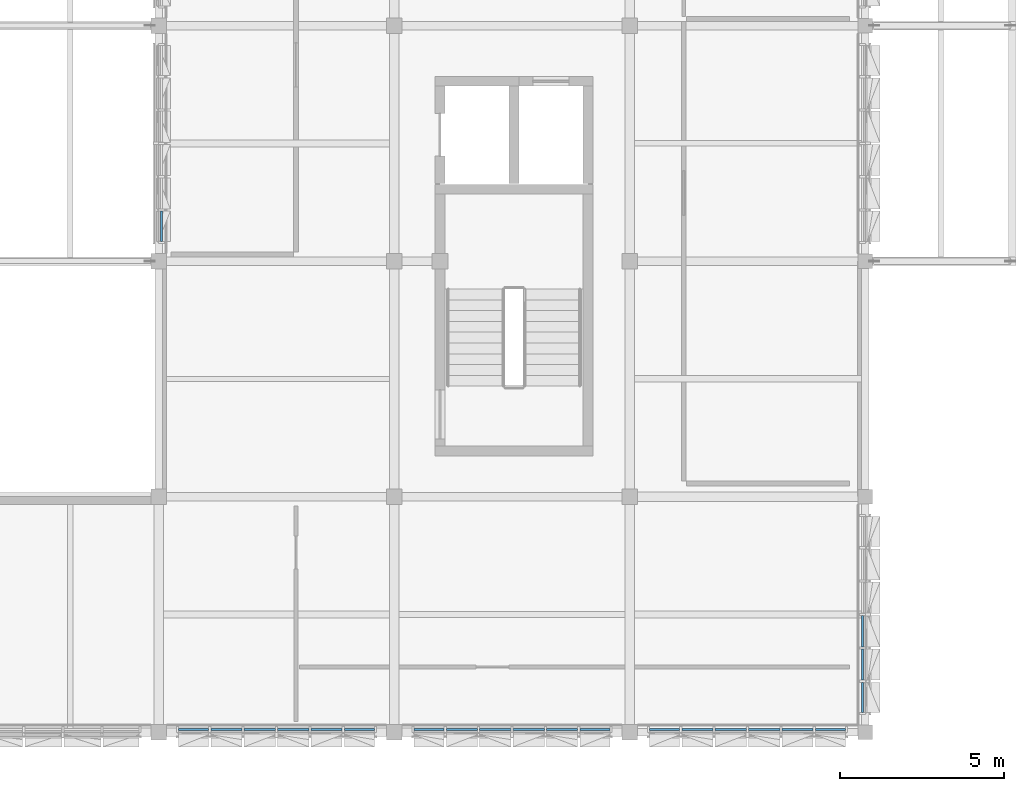
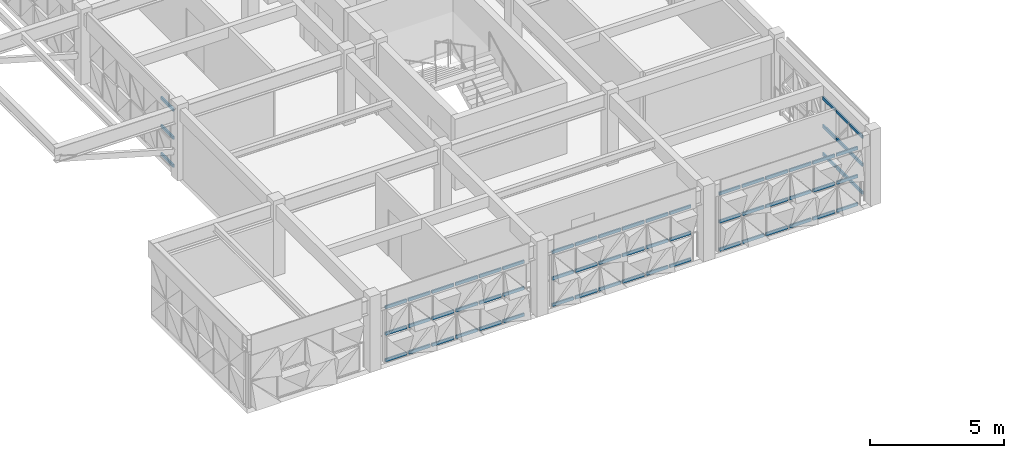
# One storey, part 7 of 30: 66 members, 5 elements without a shape of their own.
"""IFC4 building model written with IfcOpenShell, lengths in metres."""

from ifc_helpers import new_model, si_unit, direction, frame, origin, origin_2d, place, context, subcontext, project, spatial, rectangle, extrude, material, material_profile, profile_set, type_object, element, aggregate, save


model = new_model("IFC4")

# Units and contexts
model_context = context("Model", 3, precision=1e-05, world=origin(), true_north=direction((0.0, 1.0)))
body_context = subcontext(model_context, "Body", "Model", "MODEL_VIEW")
ifc_project = project(units=[si_unit("LENGTHUNIT", "METRE"), si_unit("AREAUNIT", "SQUARE_METRE"), si_unit("VOLUMEUNIT", "CUBIC_METRE"), si_unit("PLANEANGLEUNIT", "RADIAN"), si_unit("MASSUNIT", "GRAM", prefix="KILO")], contexts=[model_context])

# Site, building, storey
site_placement = place(None, origin())
site = spatial("IfcSite", under=ifc_project, at=site_placement, CompositionType="ELEMENT")
building_placement = place(site_placement, origin())
building = spatial("IfcBuilding", under=site, at=building_placement, Name="Alvorim Cloister Faculty of Sciences", CompositionType="ELEMENT")
storey_placement = place(building_placement, frame((0.0, 0.0, 26.25)))
storey = spatial("IfcBuildingStorey", under=building, at=storey_placement, Name="L07", CompositionType="ELEMENT", Elevation=26.25)

# Curtain wall, members
ifc_material_1 = material(Name="Aluminium and Low-E Glass Curtain Wall", Category="aluminium")
curtain_wall_type_1 = type_object("IfcCurtainWallType", Name="CW-TRI-6120x2700", PredefinedType="USERDEFINED", material=ifc_material_1)
curtain_wall_1_placement = place(storey_placement, origin())
curtain_wall_1 = element("IfcCurtainWall", 1, at=curtain_wall_1_placement, inside=storey, type_object=curtain_wall_type_1, Name="L07 Diagonal Cassette Curtain Wall CW-0262", ObjectType="UNITISED CURTAIN WALL", PredefinedType="USERDEFINED")
ifc_material_2 = material(Name="Aluminium Alloy 6063-T6", Category="aluminium")
ifc_material_profile = material_profile(ifc_material_2, rectangle(XDim=0.06494140625, YDim=0.139892578125, at=origin_2d()), Name="ALU-TRN-65x140")
ifc_profile_set = profile_set([ifc_material_profile], Name="Aluminium Alloy 6063-T6")
member_type = type_object("IfcMemberType", Name="CW-TRN-65x140", PredefinedType="USERDEFINED", material=ifc_profile_set)
member_1_placement = place(storey_placement, frame((22.205078125, 7.2900390625, 0.070068359375), z_axis=(1.0, 0.0, 0.0), x_axis=(0.0, 1.0, 0.0)))
member_1 = element("IfcMember", 2, at=member_1_placement, type_object=member_type, Name="CW-0262 Transom 1.1", ObjectType="TRANSOM", PredefinedType="USERDEFINED", context=body_context, shape_type="SweptSolid", body=[
    extrude(rectangle(XDim=0.06494140625, YDim=0.139892578125, at=origin_2d()), origin(), (0.0, 0.0, 1.0), 0.92236328125),
])
member_2_placement = place(storey_placement, frame((22.205078125, 7.2900390625, 1.35009765625), z_axis=(1.0, 0.0, 0.0), x_axis=(0.0, 1.0, 0.0)))
member_2 = element("IfcMember", 3, at=member_2_placement, type_object=member_type, Name="CW-0262 Transom 1.2", ObjectType="TRANSOM", PredefinedType="USERDEFINED", context=body_context, shape_type="SweptSolid", body=[
    extrude(rectangle(XDim=0.06494140625, YDim=0.139892578125, at=origin_2d()), origin(), (0.0, 0.0, 1.0), 0.92236328125),
])
member_3_placement = place(storey_placement, frame((22.205078125, 7.2900390625, 2.6298828125), z_axis=(1.0, 0.0, 0.0), x_axis=(0.0, 1.0, 0.0)))
member_3 = element("IfcMember", 4, at=member_3_placement, type_object=member_type, Name="CW-0262 Transom 1.3", ObjectType="TRANSOM", PredefinedType="USERDEFINED", context=body_context, shape_type="SweptSolid", body=[
    extrude(rectangle(XDim=0.06494140625, YDim=0.139892578125, at=origin_2d()), origin(), (0.0, 0.0, 1.0), 0.92236328125),
])
member_4_placement = place(storey_placement, frame((23.1923828125, 7.2900390625, 0.070068359375), z_axis=(1.0, 0.0, 0.0), x_axis=(0.0, 1.0, 0.0)))
member_4 = element("IfcMember", 5, at=member_4_placement, type_object=member_type, Name="CW-0262 Transom 2.1", ObjectType="TRANSOM", PredefinedType="USERDEFINED", context=body_context, shape_type="SweptSolid", body=[
    extrude(rectangle(XDim=0.06494140625, YDim=0.139892578125, at=origin_2d()), origin(), (0.0, 0.0, 1.0), 0.955078125),
])
member_5_placement = place(storey_placement, frame((23.1923828125, 7.2900390625, 1.35009765625), z_axis=(1.0, 0.0, 0.0), x_axis=(0.0, 1.0, 0.0)))
member_5 = element("IfcMember", 6, at=member_5_placement, type_object=member_type, Name="CW-0262 Transom 2.2", ObjectType="TRANSOM", PredefinedType="USERDEFINED", context=body_context, shape_type="SweptSolid", body=[
    extrude(rectangle(XDim=0.06494140625, YDim=0.139892578125, at=origin_2d()), origin(), (0.0, 0.0, 1.0), 0.955078125),
])
member_6_placement = place(storey_placement, frame((23.1923828125, 7.2900390625, 2.6298828125), z_axis=(1.0, 0.0, 0.0), x_axis=(0.0, 1.0, 0.0)))
member_6 = element("IfcMember", 7, at=member_6_placement, type_object=member_type, Name="CW-0262 Transom 2.3", ObjectType="TRANSOM", PredefinedType="USERDEFINED", context=body_context, shape_type="SweptSolid", body=[
    extrude(rectangle(XDim=0.06494140625, YDim=0.139892578125, at=origin_2d()), origin(), (0.0, 0.0, 1.0), 0.955078125),
])
member_7_placement = place(storey_placement, frame((24.21240234375, 7.2900390625, 0.070068359375), z_axis=(1.0, 0.0, 0.0), x_axis=(0.0, 1.0, 0.0)))
member_7 = element("IfcMember", 8, at=member_7_placement, type_object=member_type, Name="CW-0262 Transom 3.1", ObjectType="TRANSOM", PredefinedType="USERDEFINED", context=body_context, shape_type="SweptSolid", body=[
    extrude(rectangle(XDim=0.06494140625, YDim=0.139892578125, at=origin_2d()), origin(), (0.0, 0.0, 1.0), 0.955078125),
])
member_8_placement = place(storey_placement, frame((24.21240234375, 7.2900390625, 1.35009765625), z_axis=(1.0, 0.0, 0.0), x_axis=(0.0, 1.0, 0.0)))
member_8 = element("IfcMember", 9, at=member_8_placement, type_object=member_type, Name="CW-0262 Transom 3.2", ObjectType="TRANSOM", PredefinedType="USERDEFINED", context=body_context, shape_type="SweptSolid", body=[
    extrude(rectangle(XDim=0.06494140625, YDim=0.139892578125, at=origin_2d()), origin(), (0.0, 0.0, 1.0), 0.955078125),
])
member_9_placement = place(storey_placement, frame((24.21240234375, 7.2900390625, 2.6298828125), z_axis=(1.0, 0.0, 0.0), x_axis=(0.0, 1.0, 0.0)))
member_9 = element("IfcMember", 10, at=member_9_placement, type_object=member_type, Name="CW-0262 Transom 3.3", ObjectType="TRANSOM", PredefinedType="USERDEFINED", context=body_context, shape_type="SweptSolid", body=[
    extrude(rectangle(XDim=0.06494140625, YDim=0.139892578125, at=origin_2d()), origin(), (0.0, 0.0, 1.0), 0.955078125),
])
member_10_placement = place(storey_placement, frame((25.232421875, 7.2900390625, 0.070068359375), z_axis=(1.0, 0.0, 0.0), x_axis=(0.0, 1.0, 0.0)))
member_10 = element("IfcMember", 11, at=member_10_placement, type_object=member_type, Name="CW-0262 Transom 4.1", ObjectType="TRANSOM", PredefinedType="USERDEFINED", context=body_context, shape_type="SweptSolid", body=[
    extrude(rectangle(XDim=0.06494140625, YDim=0.139892578125, at=origin_2d()), origin(), (0.0, 0.0, 1.0), 0.955078125),
])
member_11_placement = place(storey_placement, frame((25.232421875, 7.2900390625, 1.35009765625), z_axis=(1.0, 0.0, 0.0), x_axis=(0.0, 1.0, 0.0)))
member_11 = element("IfcMember", 12, at=member_11_placement, type_object=member_type, Name="CW-0262 Transom 4.2", ObjectType="TRANSOM", PredefinedType="USERDEFINED", context=body_context, shape_type="SweptSolid", body=[
    extrude(rectangle(XDim=0.06494140625, YDim=0.139892578125, at=origin_2d()), origin(), (0.0, 0.0, 1.0), 0.955078125),
])
member_12_placement = place(storey_placement, frame((25.232421875, 7.2900390625, 2.6298828125), z_axis=(1.0, 0.0, 0.0), x_axis=(0.0, 1.0, 0.0)))
member_12 = element("IfcMember", 13, at=member_12_placement, type_object=member_type, Name="CW-0262 Transom 4.3", ObjectType="TRANSOM", PredefinedType="USERDEFINED", context=body_context, shape_type="SweptSolid", body=[
    extrude(rectangle(XDim=0.06494140625, YDim=0.139892578125, at=origin_2d()), origin(), (0.0, 0.0, 1.0), 0.955078125),
])
member_13_placement = place(storey_placement, frame((26.25244140625, 7.2900390625, 0.070068359375), z_axis=(1.0, 0.0, 0.0), x_axis=(0.0, 1.0, 0.0)))
member_13 = element("IfcMember", 14, at=member_13_placement, type_object=member_type, Name="CW-0262 Transom 5.1", ObjectType="TRANSOM", PredefinedType="USERDEFINED", context=body_context, shape_type="SweptSolid", body=[
    extrude(rectangle(XDim=0.06494140625, YDim=0.139892578125, at=origin_2d()), origin(), (0.0, 0.0, 1.0), 0.955078125),
])
member_14_placement = place(storey_placement, frame((26.25244140625, 7.2900390625, 1.35009765625), z_axis=(1.0, 0.0, 0.0), x_axis=(0.0, 1.0, 0.0)))
member_14 = element("IfcMember", 15, at=member_14_placement, type_object=member_type, Name="CW-0262 Transom 5.2", ObjectType="TRANSOM", PredefinedType="USERDEFINED", context=body_context, shape_type="SweptSolid", body=[
    extrude(rectangle(XDim=0.06494140625, YDim=0.139892578125, at=origin_2d()), origin(), (0.0, 0.0, 1.0), 0.955078125),
])
member_15_placement = place(storey_placement, frame((26.25244140625, 7.2900390625, 2.6298828125), z_axis=(1.0, 0.0, 0.0), x_axis=(0.0, 1.0, 0.0)))
member_15 = element("IfcMember", 16, at=member_15_placement, type_object=member_type, Name="CW-0262 Transom 5.3", ObjectType="TRANSOM", PredefinedType="USERDEFINED", context=body_context, shape_type="SweptSolid", body=[
    extrude(rectangle(XDim=0.06494140625, YDim=0.139892578125, at=origin_2d()), origin(), (0.0, 0.0, 1.0), 0.955078125),
])
member_16_placement = place(storey_placement, frame((27.2724609375, 7.2900390625, 0.070068359375), z_axis=(1.0, 0.0, 0.0), x_axis=(0.0, 1.0, 0.0)))
member_16 = element("IfcMember", 17, at=member_16_placement, type_object=member_type, Name="CW-0262 Transom 6.1", ObjectType="TRANSOM", PredefinedType="USERDEFINED", context=body_context, shape_type="SweptSolid", body=[
    extrude(rectangle(XDim=0.06494140625, YDim=0.139892578125, at=origin_2d()), origin(), (0.0, 0.0, 1.0), 0.922607421875),
])
member_17_placement = place(storey_placement, frame((27.2724609375, 7.2900390625, 1.35009765625), z_axis=(1.0, 0.0, 0.0), x_axis=(0.0, 1.0, 0.0)))
member_17 = element("IfcMember", 18, at=member_17_placement, type_object=member_type, Name="CW-0262 Transom 6.2", ObjectType="TRANSOM", PredefinedType="USERDEFINED", context=body_context, shape_type="SweptSolid", body=[
    extrude(rectangle(XDim=0.06494140625, YDim=0.139892578125, at=origin_2d()), origin(), (0.0, 0.0, 1.0), 0.922607421875),
])
member_18_placement = place(storey_placement, frame((27.2724609375, 7.2900390625, 2.6298828125), z_axis=(1.0, 0.0, 0.0), x_axis=(0.0, 1.0, 0.0)))
member_18 = element("IfcMember", 19, at=member_18_placement, type_object=member_type, Name="CW-0262 Transom 6.3", ObjectType="TRANSOM", PredefinedType="USERDEFINED", context=body_context, shape_type="SweptSolid", body=[
    extrude(rectangle(XDim=0.06494140625, YDim=0.139892578125, at=origin_2d()), origin(), (0.0, 0.0, 1.0), 0.922607421875),
])
aggregate(curtain_wall_1, [member_1, member_2, member_3, member_4, member_5, member_6, member_7, member_8, member_9, member_10, member_11, member_12, member_13, member_14, member_15, member_16, member_17, member_18])

curtain_wall_type_2 = type_object("IfcCurtainWallType", Name="CW-TRI-6120x2556", PredefinedType="USERDEFINED", material=ifc_material_1)
curtain_wall_2_placement = place(storey_placement, origin())
curtain_wall_2 = element("IfcCurtainWall", 20, at=curtain_wall_2_placement, inside=storey, type_object=curtain_wall_type_2, Name="L07 Diagonal Cassette Curtain Wall CW-0263", ObjectType="UNITISED CURTAIN WALL", PredefinedType="USERDEFINED")
member_19_placement = place(storey_placement, frame((15.0048828125, 7.2900390625, 0.070068359375), z_axis=(1.0, 0.0, 0.0), x_axis=(0.0, 1.0, 0.0)))
member_19 = element("IfcMember", 21, at=member_19_placement, type_object=member_type, Name="CW-0263 Transom 1.1", ObjectType="TRANSOM", PredefinedType="USERDEFINED", context=body_context, shape_type="SweptSolid", body=[
    extrude(rectangle(XDim=0.06494140625, YDim=0.139892578125, at=origin_2d()), origin(), (0.0, 0.0, 1.0), 0.922607421875),
])
member_20_placement = place(storey_placement, frame((15.0048828125, 7.2900390625, 1.278076171875), z_axis=(1.0, 0.0, 0.0), x_axis=(0.0, 1.0, 0.0)))
member_20 = element("IfcMember", 22, at=member_20_placement, type_object=member_type, Name="CW-0263 Transom 1.2", ObjectType="TRANSOM", PredefinedType="USERDEFINED", context=body_context, shape_type="SweptSolid", body=[
    extrude(rectangle(XDim=0.06494140625, YDim=0.139892578125, at=origin_2d()), origin(), (0.0, 0.0, 1.0), 0.922607421875),
])
member_21_placement = place(storey_placement, frame((15.0048828125, 7.2900390625, 2.486083984375), z_axis=(1.0, 0.0, 0.0), x_axis=(0.0, 1.0, 0.0)))
member_21 = element("IfcMember", 23, at=member_21_placement, type_object=member_type, Name="CW-0263 Transom 1.3", ObjectType="TRANSOM", PredefinedType="USERDEFINED", context=body_context, shape_type="SweptSolid", body=[
    extrude(rectangle(XDim=0.06494140625, YDim=0.139892578125, at=origin_2d()), origin(), (0.0, 0.0, 1.0), 0.922607421875),
])
member_22_placement = place(storey_placement, frame((15.992431640625, 7.2900390625, 0.070068359375), z_axis=(1.0, 0.0, 0.0), x_axis=(0.0, 1.0, 0.0)))
member_22 = element("IfcMember", 24, at=member_22_placement, type_object=member_type, Name="CW-0263 Transom 2.1", ObjectType="TRANSOM", PredefinedType="USERDEFINED", context=body_context, shape_type="SweptSolid", body=[
    extrude(rectangle(XDim=0.06494140625, YDim=0.139892578125, at=origin_2d()), origin(), (0.0, 0.0, 1.0), 0.955078125),
])
member_23_placement = place(storey_placement, frame((15.992431640625, 7.2900390625, 1.278076171875), z_axis=(1.0, 0.0, 0.0), x_axis=(0.0, 1.0, 0.0)))
member_23 = element("IfcMember", 25, at=member_23_placement, type_object=member_type, Name="CW-0263 Transom 2.2", ObjectType="TRANSOM", PredefinedType="USERDEFINED", context=body_context, shape_type="SweptSolid", body=[
    extrude(rectangle(XDim=0.06494140625, YDim=0.139892578125, at=origin_2d()), origin(), (0.0, 0.0, 1.0), 0.955078125),
])
member_24_placement = place(storey_placement, frame((15.992431640625, 7.2900390625, 2.486083984375), z_axis=(1.0, 0.0, 0.0), x_axis=(0.0, 1.0, 0.0)))
member_24 = element("IfcMember", 26, at=member_24_placement, type_object=member_type, Name="CW-0263 Transom 2.3", ObjectType="TRANSOM", PredefinedType="USERDEFINED", context=body_context, shape_type="SweptSolid", body=[
    extrude(rectangle(XDim=0.06494140625, YDim=0.139892578125, at=origin_2d()), origin(), (0.0, 0.0, 1.0), 0.955078125),
])
member_25_placement = place(storey_placement, frame((17.012451171875, 7.2900390625, 0.070068359375), z_axis=(1.0, 0.0, 0.0), x_axis=(0.0, 1.0, 0.0)))
member_25 = element("IfcMember", 27, at=member_25_placement, type_object=member_type, Name="CW-0263 Transom 3.1", ObjectType="TRANSOM", PredefinedType="USERDEFINED", context=body_context, shape_type="SweptSolid", body=[
    extrude(rectangle(XDim=0.06494140625, YDim=0.139892578125, at=origin_2d()), origin(), (0.0, 0.0, 1.0), 0.955078125),
])
member_26_placement = place(storey_placement, frame((17.012451171875, 7.2900390625, 1.278076171875), z_axis=(1.0, 0.0, 0.0), x_axis=(0.0, 1.0, 0.0)))
member_26 = element("IfcMember", 28, at=member_26_placement, type_object=member_type, Name="CW-0263 Transom 3.2", ObjectType="TRANSOM", PredefinedType="USERDEFINED", context=body_context, shape_type="SweptSolid", body=[
    extrude(rectangle(XDim=0.06494140625, YDim=0.139892578125, at=origin_2d()), origin(), (0.0, 0.0, 1.0), 0.955078125),
])
member_27_placement = place(storey_placement, frame((17.012451171875, 7.2900390625, 2.486083984375), z_axis=(1.0, 0.0, 0.0), x_axis=(0.0, 1.0, 0.0)))
member_27 = element("IfcMember", 29, at=member_27_placement, type_object=member_type, Name="CW-0263 Transom 3.3", ObjectType="TRANSOM", PredefinedType="USERDEFINED", context=body_context, shape_type="SweptSolid", body=[
    extrude(rectangle(XDim=0.06494140625, YDim=0.139892578125, at=origin_2d()), origin(), (0.0, 0.0, 1.0), 0.955078125),
])
member_28_placement = place(storey_placement, frame((18.032470703125, 7.2900390625, 0.070068359375), z_axis=(1.0, 0.0, 0.0), x_axis=(0.0, 1.0, 0.0)))
member_28 = element("IfcMember", 30, at=member_28_placement, type_object=member_type, Name="CW-0263 Transom 4.1", ObjectType="TRANSOM", PredefinedType="USERDEFINED", context=body_context, shape_type="SweptSolid", body=[
    extrude(rectangle(XDim=0.06494140625, YDim=0.139892578125, at=origin_2d()), origin(), (0.0, 0.0, 1.0), 0.955078125),
])
member_29_placement = place(storey_placement, frame((18.032470703125, 7.2900390625, 1.278076171875), z_axis=(1.0, 0.0, 0.0), x_axis=(0.0, 1.0, 0.0)))
member_29 = element("IfcMember", 31, at=member_29_placement, type_object=member_type, Name="CW-0263 Transom 4.2", ObjectType="TRANSOM", PredefinedType="USERDEFINED", context=body_context, shape_type="SweptSolid", body=[
    extrude(rectangle(XDim=0.06494140625, YDim=0.139892578125, at=origin_2d()), origin(), (0.0, 0.0, 1.0), 0.955078125),
])
member_30_placement = place(storey_placement, frame((18.032470703125, 7.2900390625, 2.486083984375), z_axis=(1.0, 0.0, 0.0), x_axis=(0.0, 1.0, 0.0)))
member_30 = element("IfcMember", 32, at=member_30_placement, type_object=member_type, Name="CW-0263 Transom 4.3", ObjectType="TRANSOM", PredefinedType="USERDEFINED", context=body_context, shape_type="SweptSolid", body=[
    extrude(rectangle(XDim=0.06494140625, YDim=0.139892578125, at=origin_2d()), origin(), (0.0, 0.0, 1.0), 0.955078125),
])
member_31_placement = place(storey_placement, frame((19.052490234375, 7.2900390625, 0.070068359375), z_axis=(1.0, 0.0, 0.0), x_axis=(0.0, 1.0, 0.0)))
member_31 = element("IfcMember", 33, at=member_31_placement, type_object=member_type, Name="CW-0263 Transom 5.1", ObjectType="TRANSOM", PredefinedType="USERDEFINED", context=body_context, shape_type="SweptSolid", body=[
    extrude(rectangle(XDim=0.06494140625, YDim=0.139892578125, at=origin_2d()), origin(), (0.0, 0.0, 1.0), 0.955078125),
])
member_32_placement = place(storey_placement, frame((19.052490234375, 7.2900390625, 1.278076171875), z_axis=(1.0, 0.0, 0.0), x_axis=(0.0, 1.0, 0.0)))
member_32 = element("IfcMember", 34, at=member_32_placement, type_object=member_type, Name="CW-0263 Transom 5.2", ObjectType="TRANSOM", PredefinedType="USERDEFINED", context=body_context, shape_type="SweptSolid", body=[
    extrude(rectangle(XDim=0.06494140625, YDim=0.139892578125, at=origin_2d()), origin(), (0.0, 0.0, 1.0), 0.955078125),
])
member_33_placement = place(storey_placement, frame((19.052490234375, 7.2900390625, 2.486083984375), z_axis=(1.0, 0.0, 0.0), x_axis=(0.0, 1.0, 0.0)))
member_33 = element("IfcMember", 35, at=member_33_placement, type_object=member_type, Name="CW-0263 Transom 5.3", ObjectType="TRANSOM", PredefinedType="USERDEFINED", context=body_context, shape_type="SweptSolid", body=[
    extrude(rectangle(XDim=0.06494140625, YDim=0.139892578125, at=origin_2d()), origin(), (0.0, 0.0, 1.0), 0.955078125),
])
member_34_placement = place(storey_placement, frame((20.072509765625, 7.2900390625, 0.070068359375), z_axis=(1.0, 0.0, 0.0), x_axis=(0.0, 1.0, 0.0)))
member_34 = element("IfcMember", 36, at=member_34_placement, type_object=member_type, Name="CW-0263 Transom 6.1", ObjectType="TRANSOM", PredefinedType="USERDEFINED", context=body_context, shape_type="SweptSolid", body=[
    extrude(rectangle(XDim=0.06494140625, YDim=0.139892578125, at=origin_2d()), origin(), (0.0, 0.0, 1.0), 0.922607421875),
])
member_35_placement = place(storey_placement, frame((20.072509765625, 7.2900390625, 1.278076171875), z_axis=(1.0, 0.0, 0.0), x_axis=(0.0, 1.0, 0.0)))
member_35 = element("IfcMember", 37, at=member_35_placement, type_object=member_type, Name="CW-0263 Transom 6.2", ObjectType="TRANSOM", PredefinedType="USERDEFINED", context=body_context, shape_type="SweptSolid", body=[
    extrude(rectangle(XDim=0.06494140625, YDim=0.139892578125, at=origin_2d()), origin(), (0.0, 0.0, 1.0), 0.922607421875),
])
member_36_placement = place(storey_placement, frame((20.072509765625, 7.2900390625, 2.486083984375), z_axis=(1.0, 0.0, 0.0), x_axis=(0.0, 1.0, 0.0)))
member_36 = element("IfcMember", 38, at=member_36_placement, type_object=member_type, Name="CW-0263 Transom 6.3", ObjectType="TRANSOM", PredefinedType="USERDEFINED", context=body_context, shape_type="SweptSolid", body=[
    extrude(rectangle(XDim=0.06494140625, YDim=0.139892578125, at=origin_2d()), origin(), (0.0, 0.0, 1.0), 0.922607421875),
])
aggregate(curtain_wall_2, [member_19, member_20, member_21, member_22, member_23, member_24, member_25, member_26, member_27, member_28, member_29, member_30, member_31, member_32, member_33, member_34, member_35, member_36])

curtain_wall_3_placement = place(storey_placement, origin())
curtain_wall_3 = element("IfcCurtainWall", 39, at=curtain_wall_3_placement, inside=storey, type_object=curtain_wall_type_2, Name="L07 Diagonal Cassette Curtain Wall CW-0264", ObjectType="UNITISED CURTAIN WALL", PredefinedType="USERDEFINED")
member_37_placement = place(storey_placement, frame((7.804931640625, 7.2900390625, 0.070068359375), z_axis=(1.0, 0.0, 0.0), x_axis=(0.0, 1.0, 0.0)))
member_37 = element("IfcMember", 40, at=member_37_placement, type_object=member_type, Name="CW-0264 Transom 1.1", ObjectType="TRANSOM", PredefinedType="USERDEFINED", context=body_context, shape_type="SweptSolid", body=[
    extrude(rectangle(XDim=0.06494140625, YDim=0.139892578125, at=origin_2d()), origin(), (0.0, 0.0, 1.0), 0.922607421875),
])
member_38_placement = place(storey_placement, frame((7.804931640625, 7.2900390625, 1.278076171875), z_axis=(1.0, 0.0, 0.0), x_axis=(0.0, 1.0, 0.0)))
member_38 = element("IfcMember", 41, at=member_38_placement, type_object=member_type, Name="CW-0264 Transom 1.2", ObjectType="TRANSOM", PredefinedType="USERDEFINED", context=body_context, shape_type="SweptSolid", body=[
    extrude(rectangle(XDim=0.06494140625, YDim=0.139892578125, at=origin_2d()), origin(), (0.0, 0.0, 1.0), 0.922607421875),
])
member_39_placement = place(storey_placement, frame((7.804931640625, 7.2900390625, 2.486083984375), z_axis=(1.0, 0.0, 0.0), x_axis=(0.0, 1.0, 0.0)))
member_39 = element("IfcMember", 42, at=member_39_placement, type_object=member_type, Name="CW-0264 Transom 1.3", ObjectType="TRANSOM", PredefinedType="USERDEFINED", context=body_context, shape_type="SweptSolid", body=[
    extrude(rectangle(XDim=0.06494140625, YDim=0.139892578125, at=origin_2d()), origin(), (0.0, 0.0, 1.0), 0.922607421875),
])
member_40_placement = place(storey_placement, frame((8.79248046875, 7.2900390625, 0.070068359375), z_axis=(1.0, 0.0, 0.0), x_axis=(0.0, 1.0, 0.0)))
member_40 = element("IfcMember", 43, at=member_40_placement, type_object=member_type, Name="CW-0264 Transom 2.1", ObjectType="TRANSOM", PredefinedType="USERDEFINED", context=body_context, shape_type="SweptSolid", body=[
    extrude(rectangle(XDim=0.06494140625, YDim=0.139892578125, at=origin_2d()), origin(), (0.0, 0.0, 1.0), 0.955078125),
])
member_41_placement = place(storey_placement, frame((8.79248046875, 7.2900390625, 1.278076171875), z_axis=(1.0, 0.0, 0.0), x_axis=(0.0, 1.0, 0.0)))
member_41 = element("IfcMember", 44, at=member_41_placement, type_object=member_type, Name="CW-0264 Transom 2.2", ObjectType="TRANSOM", PredefinedType="USERDEFINED", context=body_context, shape_type="SweptSolid", body=[
    extrude(rectangle(XDim=0.06494140625, YDim=0.139892578125, at=origin_2d()), origin(), (0.0, 0.0, 1.0), 0.955078125),
])
member_42_placement = place(storey_placement, frame((8.79248046875, 7.2900390625, 2.486083984375), z_axis=(1.0, 0.0, 0.0), x_axis=(0.0, 1.0, 0.0)))
member_42 = element("IfcMember", 45, at=member_42_placement, type_object=member_type, Name="CW-0264 Transom 2.3", ObjectType="TRANSOM", PredefinedType="USERDEFINED", context=body_context, shape_type="SweptSolid", body=[
    extrude(rectangle(XDim=0.06494140625, YDim=0.139892578125, at=origin_2d()), origin(), (0.0, 0.0, 1.0), 0.955078125),
])
member_43_placement = place(storey_placement, frame((9.8125, 7.2900390625, 0.070068359375), z_axis=(1.0, 0.0, 0.0), x_axis=(0.0, 1.0, 0.0)))
member_43 = element("IfcMember", 46, at=member_43_placement, type_object=member_type, Name="CW-0264 Transom 3.1", ObjectType="TRANSOM", PredefinedType="USERDEFINED", context=body_context, shape_type="SweptSolid", body=[
    extrude(rectangle(XDim=0.06494140625, YDim=0.139892578125, at=origin_2d()), origin(), (0.0, 0.0, 1.0), 0.955078125),
])
member_44_placement = place(storey_placement, frame((9.8125, 7.2900390625, 1.278076171875), z_axis=(1.0, 0.0, 0.0), x_axis=(0.0, 1.0, 0.0)))
member_44 = element("IfcMember", 47, at=member_44_placement, type_object=member_type, Name="CW-0264 Transom 3.2", ObjectType="TRANSOM", PredefinedType="USERDEFINED", context=body_context, shape_type="SweptSolid", body=[
    extrude(rectangle(XDim=0.06494140625, YDim=0.139892578125, at=origin_2d()), origin(), (0.0, 0.0, 1.0), 0.955078125),
])
member_45_placement = place(storey_placement, frame((9.8125, 7.2900390625, 2.486083984375), z_axis=(1.0, 0.0, 0.0), x_axis=(0.0, 1.0, 0.0)))
member_45 = element("IfcMember", 48, at=member_45_placement, type_object=member_type, Name="CW-0264 Transom 3.3", ObjectType="TRANSOM", PredefinedType="USERDEFINED", context=body_context, shape_type="SweptSolid", body=[
    extrude(rectangle(XDim=0.06494140625, YDim=0.139892578125, at=origin_2d()), origin(), (0.0, 0.0, 1.0), 0.955078125),
])
member_46_placement = place(storey_placement, frame((10.83251953125, 7.2900390625, 0.070068359375), z_axis=(1.0, 0.0, 0.0), x_axis=(0.0, 1.0, 0.0)))
member_46 = element("IfcMember", 49, at=member_46_placement, type_object=member_type, Name="CW-0264 Transom 4.1", ObjectType="TRANSOM", PredefinedType="USERDEFINED", context=body_context, shape_type="SweptSolid", body=[
    extrude(rectangle(XDim=0.06494140625, YDim=0.139892578125, at=origin_2d()), origin(), (0.0, 0.0, 1.0), 0.955078125),
])
member_47_placement = place(storey_placement, frame((10.83251953125, 7.2900390625, 1.278076171875), z_axis=(1.0, 0.0, 0.0), x_axis=(0.0, 1.0, 0.0)))
member_47 = element("IfcMember", 50, at=member_47_placement, type_object=member_type, Name="CW-0264 Transom 4.2", ObjectType="TRANSOM", PredefinedType="USERDEFINED", context=body_context, shape_type="SweptSolid", body=[
    extrude(rectangle(XDim=0.06494140625, YDim=0.139892578125, at=origin_2d()), origin(), (0.0, 0.0, 1.0), 0.955078125),
])
member_48_placement = place(storey_placement, frame((10.83251953125, 7.2900390625, 2.486083984375), z_axis=(1.0, 0.0, 0.0), x_axis=(0.0, 1.0, 0.0)))
member_48 = element("IfcMember", 51, at=member_48_placement, type_object=member_type, Name="CW-0264 Transom 4.3", ObjectType="TRANSOM", PredefinedType="USERDEFINED", context=body_context, shape_type="SweptSolid", body=[
    extrude(rectangle(XDim=0.06494140625, YDim=0.139892578125, at=origin_2d()), origin(), (0.0, 0.0, 1.0), 0.955078125),
])
member_49_placement = place(storey_placement, frame((11.8525390625, 7.2900390625, 0.070068359375), z_axis=(1.0, 0.0, 0.0), x_axis=(0.0, 1.0, 0.0)))
member_49 = element("IfcMember", 52, at=member_49_placement, type_object=member_type, Name="CW-0264 Transom 5.1", ObjectType="TRANSOM", PredefinedType="USERDEFINED", context=body_context, shape_type="SweptSolid", body=[
    extrude(rectangle(XDim=0.06494140625, YDim=0.139892578125, at=origin_2d()), origin(), (0.0, 0.0, 1.0), 0.955078125),
])
member_50_placement = place(storey_placement, frame((11.8525390625, 7.2900390625, 1.278076171875), z_axis=(1.0, 0.0, 0.0), x_axis=(0.0, 1.0, 0.0)))
member_50 = element("IfcMember", 53, at=member_50_placement, type_object=member_type, Name="CW-0264 Transom 5.2", ObjectType="TRANSOM", PredefinedType="USERDEFINED", context=body_context, shape_type="SweptSolid", body=[
    extrude(rectangle(XDim=0.06494140625, YDim=0.139892578125, at=origin_2d()), origin(), (0.0, 0.0, 1.0), 0.955078125),
])
member_51_placement = place(storey_placement, frame((11.8525390625, 7.2900390625, 2.486083984375), z_axis=(1.0, 0.0, 0.0), x_axis=(0.0, 1.0, 0.0)))
member_51 = element("IfcMember", 54, at=member_51_placement, type_object=member_type, Name="CW-0264 Transom 5.3", ObjectType="TRANSOM", PredefinedType="USERDEFINED", context=body_context, shape_type="SweptSolid", body=[
    extrude(rectangle(XDim=0.06494140625, YDim=0.139892578125, at=origin_2d()), origin(), (0.0, 0.0, 1.0), 0.955078125),
])
member_52_placement = place(storey_placement, frame((12.87255859375, 7.2900390625, 0.070068359375), z_axis=(1.0, 0.0, 0.0), x_axis=(0.0, 1.0, 0.0)))
member_52 = element("IfcMember", 55, at=member_52_placement, type_object=member_type, Name="CW-0264 Transom 6.1", ObjectType="TRANSOM", PredefinedType="USERDEFINED", context=body_context, shape_type="SweptSolid", body=[
    extrude(rectangle(XDim=0.06494140625, YDim=0.139892578125, at=origin_2d()), origin(), (0.0, 0.0, 1.0), 0.92236328125),
])
member_53_placement = place(storey_placement, frame((12.87255859375, 7.2900390625, 1.278076171875), z_axis=(1.0, 0.0, 0.0), x_axis=(0.0, 1.0, 0.0)))
member_53 = element("IfcMember", 56, at=member_53_placement, type_object=member_type, Name="CW-0264 Transom 6.2", ObjectType="TRANSOM", PredefinedType="USERDEFINED", context=body_context, shape_type="SweptSolid", body=[
    extrude(rectangle(XDim=0.06494140625, YDim=0.139892578125, at=origin_2d()), origin(), (0.0, 0.0, 1.0), 0.92236328125),
])
member_54_placement = place(storey_placement, frame((12.87255859375, 7.2900390625, 2.486083984375), z_axis=(1.0, 0.0, 0.0), x_axis=(0.0, 1.0, 0.0)))
member_54 = element("IfcMember", 57, at=member_54_placement, type_object=member_type, Name="CW-0264 Transom 6.3", ObjectType="TRANSOM", PredefinedType="USERDEFINED", context=body_context, shape_type="SweptSolid", body=[
    extrude(rectangle(XDim=0.06494140625, YDim=0.139892578125, at=origin_2d()), origin(), (0.0, 0.0, 1.0), 0.92236328125),
])
aggregate(curtain_wall_3, [member_37, member_38, member_39, member_40, member_41, member_42, member_43, member_44, member_45, member_46, member_47, member_48, member_49, member_50, member_51, member_52, member_53, member_54])

curtain_wall_4_placement = place(storey_placement, origin())
curtain_wall_4 = element("IfcCurtainWall", 58, at=curtain_wall_4_placement, inside=storey, type_object=curtain_wall_type_1, Name="L07 Diagonal Cassette Curtain Wall CW-0267", ObjectType="UNITISED CURTAIN WALL", PredefinedType="USERDEFINED")
member_55_placement = place(storey_placement, frame((7.2900390625, 22.205078125, 0.070068359375), z_axis=(0.0, 1.0, 0.0), x_axis=(-1.0, 0.0, 0.0)))
member_55 = element("IfcMember", 59, at=member_55_placement, type_object=member_type, Name="CW-0267 Transom 1.1", ObjectType="TRANSOM", PredefinedType="USERDEFINED", context=body_context, shape_type="SweptSolid", body=[
    extrude(rectangle(XDim=0.06494140625, YDim=0.139892578125, at=origin_2d()), origin(), (0.0, 0.0, 1.0), 0.92236328125),
])
member_56_placement = place(storey_placement, frame((7.2900390625, 22.205078125, 1.35009765625), z_axis=(0.0, 1.0, 0.0), x_axis=(-1.0, 0.0, 0.0)))
member_56 = element("IfcMember", 60, at=member_56_placement, type_object=member_type, Name="CW-0267 Transom 1.2", ObjectType="TRANSOM", PredefinedType="USERDEFINED", context=body_context, shape_type="SweptSolid", body=[
    extrude(rectangle(XDim=0.06494140625, YDim=0.139892578125, at=origin_2d()), origin(), (0.0, 0.0, 1.0), 0.92236328125),
])
member_57_placement = place(storey_placement, frame((7.2900390625, 22.205078125, 2.6298828125), z_axis=(0.0, 1.0, 0.0), x_axis=(-1.0, 0.0, 0.0)))
member_57 = element("IfcMember", 61, at=member_57_placement, type_object=member_type, Name="CW-0267 Transom 1.3", ObjectType="TRANSOM", PredefinedType="USERDEFINED", context=body_context, shape_type="SweptSolid", body=[
    extrude(rectangle(XDim=0.06494140625, YDim=0.139892578125, at=origin_2d()), origin(), (0.0, 0.0, 1.0), 0.92236328125),
])
aggregate(curtain_wall_4, [member_55, member_56, member_57])

curtain_wall_5_placement = place(storey_placement, origin())
curtain_wall_5 = element("IfcCurtainWall", 62, at=curtain_wall_5_placement, inside=storey, type_object=curtain_wall_type_1, Name="L07 Diagonal Cassette Curtain Wall CW-0280", ObjectType="UNITISED CURTAIN WALL", PredefinedType="USERDEFINED")
member_58_placement = place(storey_placement, frame((28.7099609375, 7.804931640625, 0.070068359375), z_axis=(0.0, 1.0, 0.0), x_axis=(-1.0, 0.0, 0.0)))
member_58 = element("IfcMember", 63, at=member_58_placement, type_object=member_type, Name="CW-0280 Transom 1.1", ObjectType="TRANSOM", PredefinedType="USERDEFINED", context=body_context, shape_type="SweptSolid", body=[
    extrude(rectangle(XDim=0.06494140625, YDim=0.139892578125, at=origin_2d()), origin(), (0.0, 0.0, 1.0), 0.922607421875),
])
member_59_placement = place(storey_placement, frame((28.7099609375, 7.804931640625, 1.35009765625), z_axis=(0.0, 1.0, 0.0), x_axis=(-1.0, 0.0, 0.0)))
member_59 = element("IfcMember", 64, at=member_59_placement, type_object=member_type, Name="CW-0280 Transom 1.2", ObjectType="TRANSOM", PredefinedType="USERDEFINED", context=body_context, shape_type="SweptSolid", body=[
    extrude(rectangle(XDim=0.06494140625, YDim=0.139892578125, at=origin_2d()), origin(), (0.0, 0.0, 1.0), 0.922607421875),
])
member_60_placement = place(storey_placement, frame((28.7099609375, 7.804931640625, 2.6298828125), z_axis=(0.0, 1.0, 0.0), x_axis=(-1.0, 0.0, 0.0)))
member_60 = element("IfcMember", 65, at=member_60_placement, type_object=member_type, Name="CW-0280 Transom 1.3", ObjectType="TRANSOM", PredefinedType="USERDEFINED", context=body_context, shape_type="SweptSolid", body=[
    extrude(rectangle(XDim=0.06494140625, YDim=0.139892578125, at=origin_2d()), origin(), (0.0, 0.0, 1.0), 0.922607421875),
])
member_61_placement = place(storey_placement, frame((28.7099609375, 8.79248046875, 0.070068359375), z_axis=(0.0, 1.0, 0.0), x_axis=(-1.0, 0.0, 0.0)))
member_61 = element("IfcMember", 66, at=member_61_placement, type_object=member_type, Name="CW-0280 Transom 2.1", ObjectType="TRANSOM", PredefinedType="USERDEFINED", context=body_context, shape_type="SweptSolid", body=[
    extrude(rectangle(XDim=0.06494140625, YDim=0.139892578125, at=origin_2d()), origin(), (0.0, 0.0, 1.0), 0.955078125),
])
member_62_placement = place(storey_placement, frame((28.7099609375, 8.79248046875, 1.35009765625), z_axis=(0.0, 1.0, 0.0), x_axis=(-1.0, 0.0, 0.0)))
member_62 = element("IfcMember", 67, at=member_62_placement, type_object=member_type, Name="CW-0280 Transom 2.2", ObjectType="TRANSOM", PredefinedType="USERDEFINED", context=body_context, shape_type="SweptSolid", body=[
    extrude(rectangle(XDim=0.06494140625, YDim=0.139892578125, at=origin_2d()), origin(), (0.0, 0.0, 1.0), 0.955078125),
])
member_63_placement = place(storey_placement, frame((28.7099609375, 8.79248046875, 2.6298828125), z_axis=(0.0, 1.0, 0.0), x_axis=(-1.0, 0.0, 0.0)))
member_63 = element("IfcMember", 68, at=member_63_placement, type_object=member_type, Name="CW-0280 Transom 2.3", ObjectType="TRANSOM", PredefinedType="USERDEFINED", context=body_context, shape_type="SweptSolid", body=[
    extrude(rectangle(XDim=0.06494140625, YDim=0.139892578125, at=origin_2d()), origin(), (0.0, 0.0, 1.0), 0.955078125),
])
member_64_placement = place(storey_placement, frame((28.7099609375, 9.8125, 0.070068359375), z_axis=(0.0, 1.0, 0.0), x_axis=(-1.0, 0.0, 0.0)))
member_64 = element("IfcMember", 69, at=member_64_placement, type_object=member_type, Name="CW-0280 Transom 3.1", ObjectType="TRANSOM", PredefinedType="USERDEFINED", context=body_context, shape_type="SweptSolid", body=[
    extrude(rectangle(XDim=0.06494140625, YDim=0.139892578125, at=origin_2d()), origin(), (0.0, 0.0, 1.0), 0.955078125),
])
member_65_placement = place(storey_placement, frame((28.7099609375, 9.8125, 1.35009765625), z_axis=(0.0, 1.0, 0.0), x_axis=(-1.0, 0.0, 0.0)))
member_65 = element("IfcMember", 70, at=member_65_placement, type_object=member_type, Name="CW-0280 Transom 3.2", ObjectType="TRANSOM", PredefinedType="USERDEFINED", context=body_context, shape_type="SweptSolid", body=[
    extrude(rectangle(XDim=0.06494140625, YDim=0.139892578125, at=origin_2d()), origin(), (0.0, 0.0, 1.0), 0.955078125),
])
member_66_placement = place(storey_placement, frame((28.7099609375, 9.8125, 2.6298828125), z_axis=(0.0, 1.0, 0.0), x_axis=(-1.0, 0.0, 0.0)))
member_66 = element("IfcMember", 71, at=member_66_placement, type_object=member_type, Name="CW-0280 Transom 3.3", ObjectType="TRANSOM", PredefinedType="USERDEFINED", context=body_context, shape_type="SweptSolid", body=[
    extrude(rectangle(XDim=0.06494140625, YDim=0.139892578125, at=origin_2d()), origin(), (0.0, 0.0, 1.0), 0.955078125),
])
aggregate(curtain_wall_5, [member_58, member_59, member_60, member_61, member_62, member_63, member_64, member_65, member_66])

save(model, "model.ifc")
